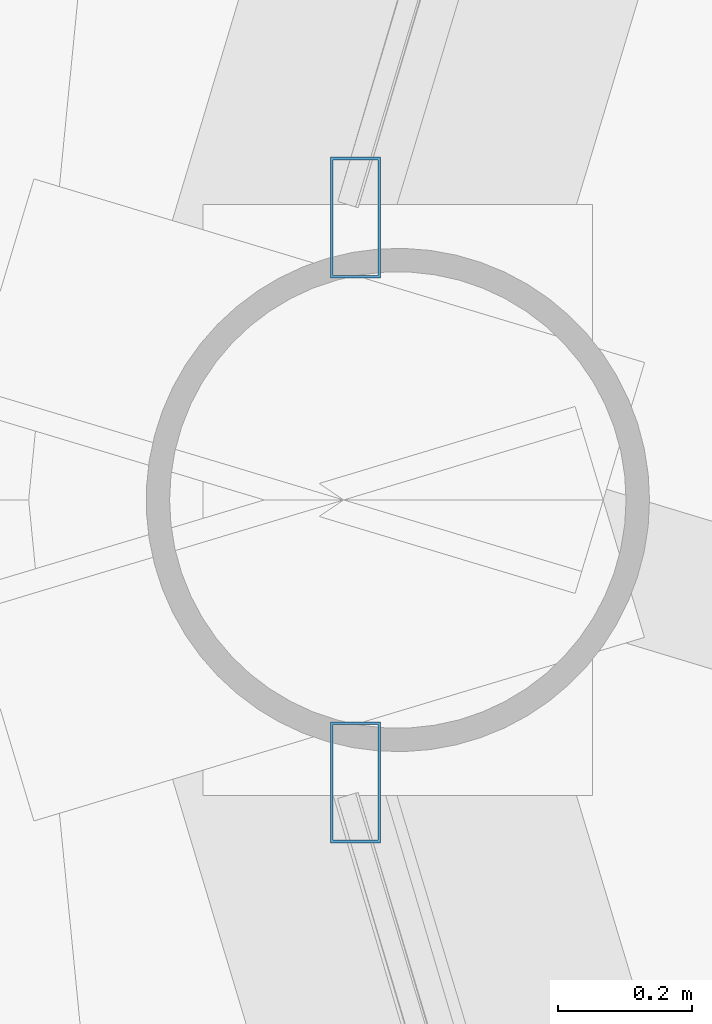
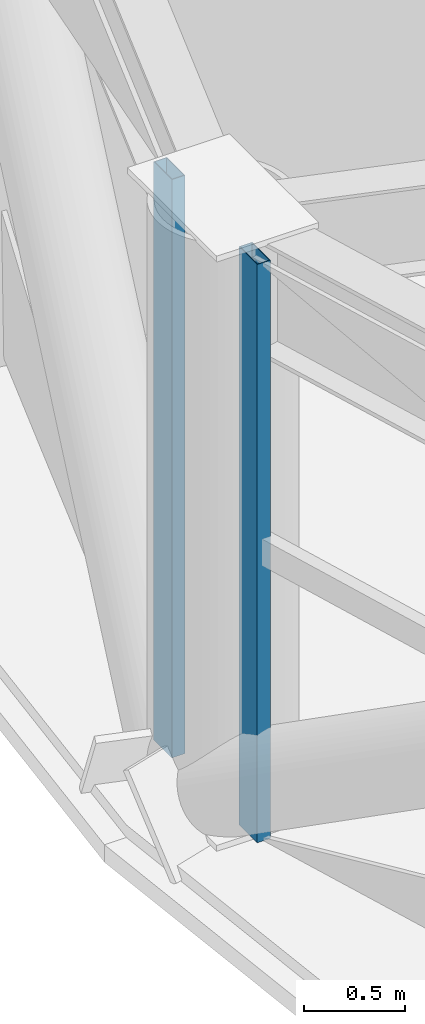
# One storey, part 6 of 29: 2 members, 2 elements without a shape of their own.
"""IFC4 building model written with IfcOpenShell, lengths in metres."""

from ifc_helpers import new_model, si_unit, direction, frame, origin, origin_2d, place, context, subcontext, project, spatial, hollow_rectangle, extrude, material, layer, layer_set, material_profile, profile_set, type_object, element, aggregate, save


model = new_model("IFC4")

# Units and contexts
model_context = context("Model", 3, precision=1e-05, world=origin(), true_north=direction((0.0, 1.0)))
body_context = subcontext(model_context, "Body", "Model", "MODEL_VIEW")
ifc_project = project(units=[si_unit("LENGTHUNIT", "METRE"), si_unit("AREAUNIT", "SQUARE_METRE"), si_unit("VOLUMEUNIT", "CUBIC_METRE"), si_unit("PLANEANGLEUNIT", "RADIAN"), si_unit("MASSUNIT", "GRAM", prefix="KILO")], contexts=[model_context])

# Site, building, storey
site_placement = place(None, origin())
site = spatial("IfcSite", under=ifc_project, at=site_placement, CompositionType="ELEMENT")
building_placement = place(site_placement, origin())
building = spatial("IfcBuilding", under=site, at=building_placement, Name="Vantalir Tower", CompositionType="ELEMENT")
storey_placement = place(building_placement, frame((0.0, 0.0, 149.699951171875)))
storey = spatial("IfcBuildingStorey", under=building, at=storey_placement, Name="L37", CompositionType="ELEMENT", Elevation=149.699951171875)

# Curtain wall, member
ifc_material_1 = material(Name="Champagne-silver PVDF aluminium and double-silver Low-E glass", Category="aluminium")
ifc_layer = layer(ifc_material_1, 0.199951171875)
ifc_layer_set = layer_set([ifc_layer], Name="Champagne-silver PVDF aluminium and double-silver Low-E glass")
curtain_wall_type = type_object("IfcCurtainWallType", Name="CW-DIAMOND-Z2", PredefinedType="USERDEFINED", material=ifc_layer_set)
curtain_wall_1_placement = place(storey_placement, origin())
curtain_wall_1 = element("IfcCurtainWall", 1, at=curtain_wall_1_placement, inside=storey, type_object=curtain_wall_type, Name="L37 Quilted Pyramid-Diamond Curtain Wall S06", ObjectType="UNITISED CURTAIN WALL", PredefinedType="USERDEFINED")
ifc_material_2 = material(Name="Champagne-silver PVDF aluminium 6063-T6", Category="aluminium")
ifc_material_profile = material_profile(ifc_material_2, hollow_rectangle(XDim=0.074951171875, YDim=0.179931640625, WallThickness=0.00390625, at=origin_2d()), Name="Champagne-silver PVDF aluminium 6063-T6")
ifc_profile_set = profile_set([ifc_material_profile], Name="Champagne-silver PVDF aluminium 6063-T6")
member_type = type_object("IfcMemberType", Name="CWM-180x75", PredefinedType="MULLION", material=ifc_profile_set)
member_1_placement = place(storey_placement, frame((6.654052734375, 25.4208984375, 0.045166015625), z_axis=(0.0, 0.0, 1.0), x_axis=(1.0, 0.0, 0.0)))
member_1 = element("IfcMember", 2, at=member_1_placement, type_object=member_type, Name="CW-L37-S06 Mullion 2", PredefinedType="MULLION", context=body_context, shape_type="SweptSolid", body=[
    extrude(hollow_rectangle(XDim=0.074951171875, YDim=0.179931640625, WallThickness=0.00390625, at=origin_2d()), origin(), (0.0, 0.0, 1.0), 3.47998046875),
])
aggregate(curtain_wall_1, [member_1])

curtain_wall_2_placement = place(storey_placement, origin())
curtain_wall_2 = element("IfcCurtainWall", 3, at=curtain_wall_2_placement, inside=storey, type_object=curtain_wall_type, Name="L37 Quilted Pyramid-Diamond Curtain Wall S07", ObjectType="UNITISED CURTAIN WALL", PredefinedType="USERDEFINED")
member_2_placement = place(storey_placement, frame((6.654052734375, 24.5791015625, 0.045166015625), z_axis=(0.0, 0.0, 1.0), x_axis=(1.0, 0.0, 0.0)))
member_2 = element("IfcMember", 4, at=member_2_placement, type_object=member_type, Name="CW-L37-S07 Mullion 1", PredefinedType="MULLION", context=body_context, shape_type="SweptSolid", body=[
    extrude(hollow_rectangle(XDim=0.074951171875, YDim=0.179931640625, WallThickness=0.00390625, at=origin_2d()), origin(), (0.0, 0.0, 1.0), 3.47998046875),
])
aggregate(curtain_wall_2, [member_2])

save(model, "model.ifc")
